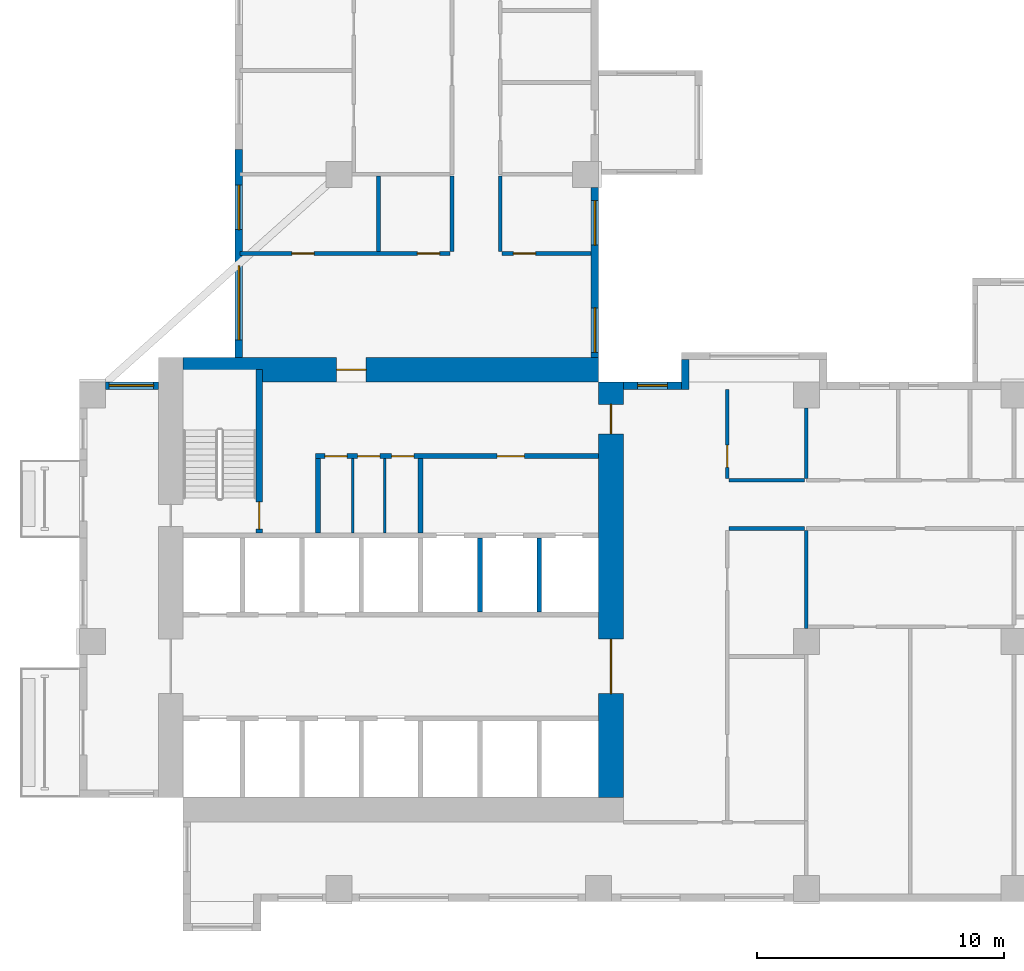
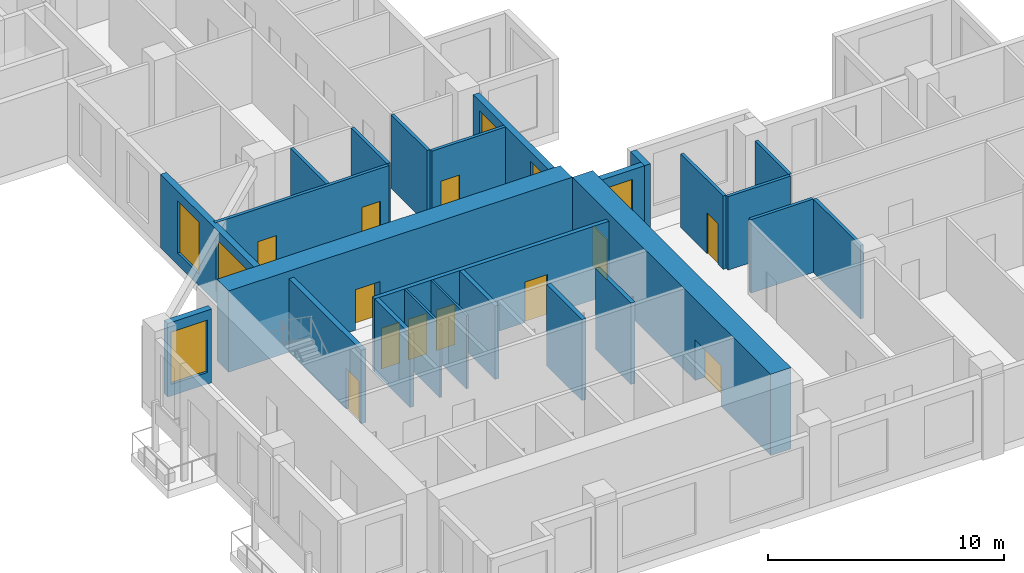
# One storey, part 3 of 15: 25 walls, 12 doors, 6 windows, 18 openings.
"""IFC4 building model written with IfcOpenShell, lengths in metres."""

from ifc_helpers import new_model, si_unit, direction, frame, frame_2d, origin, place, context, subcontext, project, spatial, rectangle, extrude, source, transform, mapped, material, layer, layer_set, type_object, element, fill, save


model = new_model("IFC4")

# Units and contexts
model_context = context("Model", 3, precision=1e-05, world=origin(), true_north=direction((0.0, 1.0)))
body_context = subcontext(model_context, "Body", "Model", "MODEL_VIEW")
ifc_project = project(units=[si_unit("LENGTHUNIT", "METRE"), si_unit("AREAUNIT", "SQUARE_METRE"), si_unit("VOLUMEUNIT", "CUBIC_METRE"), si_unit("PLANEANGLEUNIT", "RADIAN"), si_unit("MASSUNIT", "GRAM", prefix="KILO")], contexts=[model_context])

# Site, building, storey
site_placement = place(None, origin())
site = spatial("IfcSite", under=ifc_project, at=site_placement, CompositionType="ELEMENT")
building_placement = place(site_placement, origin())
building = spatial("IfcBuilding", under=site, at=building_placement, Name="Aurelian Terraces", CompositionType="ELEMENT")
storey_placement = place(building_placement, frame((0.0, 0.0, 120.3)))
storey = spatial("IfcBuildingStorey", under=building, at=storey_placement, Name="L26", CompositionType="ELEMENT", Elevation=120.3)

# Wall, openings, doors
ifc_material_1 = material(Name="Concrete fc' 83 MPa", Category="concrete")
ifc_layer_1 = layer(ifc_material_1, 1.0)
ifc_layer_set_1 = layer_set([ifc_layer_1], Name="CORE WALL 1000 FC83")
wall_type_1 = type_object("IfcWallType", Name="CORE WALL 1000 FC83", PredefinedType="SHEAR", material=ifc_layer_set_1)
shared_shape_1 = source(origin(), body_context, "Body", "SweptSolid", [
    extrude(rectangle(XDim=16.8, YDim=1.0, at=frame_2d((8.4, 0.0))), origin(), (0.0, 0.0, 1.0), 4.2),
])
wall_1_placement = place(storey_placement, frame((21.5, 4.2, 0.0), z_axis=(0.0, 0.0, 1.0), x_axis=(0.0, 1.0, 0.0)))
wall_1 = element("IfcWall", 1, at=wall_1_placement, inside=storey, type_object=wall_type_1, Name="Core wall E L26", PredefinedType="SHEAR", context=body_context, shape_type="MappedRepresentation", body=[
    mapped(shared_shape_1, transform((0.0, 0.0, 0.0), scale=1.0)),
])
shared_shape_2 = source(origin(), body_context, "Body", "SweptSolid", [
    extrude(rectangle(XDim=2.2, YDim=2.1, at=frame_2d((1.1, 1.05))), frame((0.0, 0.51, 0.0), z_axis=(0.0, -1.0, 0.0), x_axis=(1.0, 0.0, 0.0)), (0.0, 0.0, 1.0), 1.02),
])
opening_1_placement = place(wall_1_placement, frame((4.2, 0.0, 0.0)))
opening_1 = element("IfcOpeningElement", 2, at=opening_1_placement, cuts=wall_1, Name="Opening 62921", PredefinedType="OPENING", context=body_context, shape_type="MappedRepresentation", body=[
    mapped(shared_shape_2, transform((0.0, 0.0, 0.0), scale=1.0)),
])
shared_shape_3 = source(origin(), body_context, "Body", "SweptSolid", [
    extrude(rectangle(XDim=1.2, YDim=2.1, at=frame_2d((0.6, 1.05))), frame((0.0, 0.51, 0.0), z_axis=(0.0, -1.0, 0.0), x_axis=(1.0, 0.0, 0.0)), (0.0, 0.0, 1.0), 1.02),
])
opening_2_placement = place(wall_1_placement, frame((14.7, 0.0, 0.0)))
opening_2 = element("IfcOpeningElement", 3, at=opening_2_placement, cuts=wall_1, Name="Opening 62924", PredefinedType="OPENING", context=body_context, shape_type="MappedRepresentation", body=[
    mapped(shared_shape_3, transform((0.0, 0.0, 0.0), scale=1.0)),
])
ifc_material_2 = material(Name="Steel door leaf", Category="steel")
door_type_1 = type_object("IfcDoorType", Name="Core fire door 1200x2100", OperationType="SINGLE_SWING_LEFT", PredefinedType="DOOR", material=ifc_material_2)
shared_shape_4 = source(origin(), body_context, "Body", "SweptSolid", [
    extrude(rectangle(XDim=1.2, YDim=2.1, at=frame_2d((0.6, 1.05))), frame((0.0, 0.025, 0.0), z_axis=(0.0, -1.0, 0.0), x_axis=(1.0, 0.0, 0.0)), (0.0, 0.0, 1.0), 0.05),
])
door_1_placement = place(opening_2_placement, origin())
door_1 = element("IfcDoor", 4, at=door_1_placement, inside=storey, type_object=door_type_1, Name="Core door 62924", OperationType="SINGLE_SWING_LEFT", OverallHeight=2.1, OverallWidth=1.2, PredefinedType="DOOR", context=body_context, shape_type="MappedRepresentation", body=[
    mapped(shared_shape_4, transform((0.0, 0.0, 0.0), scale=1.0)),
])
fill(opening_2, door_1)
door_type_2 = type_object("IfcDoorType", Name="Core double door 2200x2100", OperationType="DOUBLE_DOOR_SINGLE_SWING", PredefinedType="DOOR", material=ifc_material_2)
shared_shape_5 = source(origin(), body_context, "Body", "SweptSolid", [
    extrude(rectangle(XDim=2.2, YDim=2.1, at=frame_2d((1.1, 1.05))), frame((0.0, 0.025, 0.0), z_axis=(0.0, -1.0, 0.0), x_axis=(1.0, 0.0, 0.0)), (0.0, 0.0, 1.0), 0.05),
])
door_2_placement = place(opening_1_placement, origin())
door_2 = element("IfcDoor", 5, at=door_2_placement, inside=storey, type_object=door_type_2, Name="Core door 62921", OperationType="DOUBLE_DOOR_SINGLE_SWING", OverallHeight=2.1, OverallWidth=2.2, PredefinedType="DOOR", context=body_context, shape_type="MappedRepresentation", body=[
    mapped(shared_shape_5, transform((0.0, 0.0, 0.0), scale=1.0)),
])
fill(opening_1, door_2)

# Wall, opening, door
wall_2_placement = place(storey_placement, frame((4.2, 21.5, 0.0), z_axis=(0.0, 0.0, 1.0), x_axis=(1.0, 0.0, 0.0)))
wall_2 = element("IfcWall", 6, at=wall_2_placement, inside=storey, type_object=wall_type_1, Name="Core wall N L26", PredefinedType="SHEAR", context=body_context, shape_type="MappedRepresentation", body=[
    mapped(shared_shape_1, transform((0.0, 0.0, 0.0), scale=1.0)),
])
opening_3_placement = place(wall_2_placement, frame((6.2, 0.0, 0.0)))
opening_3 = element("IfcOpeningElement", 7, at=opening_3_placement, cuts=wall_2, Name="Opening 62923", PredefinedType="OPENING", context=body_context, shape_type="MappedRepresentation", body=[
    mapped(shared_shape_3, transform((0.0, 0.0, 0.0), scale=1.0)),
])
door_type_3 = type_object("IfcDoorType", Name="Core fire door 1200x2100 right", OperationType="SINGLE_SWING_RIGHT", PredefinedType="DOOR", material=ifc_material_2)
door_3_placement = place(opening_3_placement, origin())
door_3 = element("IfcDoor", 8, at=door_3_placement, inside=storey, type_object=door_type_3, Name="Core door 62923", OperationType="SINGLE_SWING_RIGHT", OverallHeight=2.1, OverallWidth=1.2, PredefinedType="DOOR", context=body_context, shape_type="MappedRepresentation", body=[
    mapped(shared_shape_4, transform((0.0, 0.0, 0.0), scale=1.0)),
])
fill(opening_3, door_3)

# Wall
ifc_material_3 = material(Name="Terracotta rainscreen cladding", Category="masonry")
ifc_layer_2 = layer(ifc_material_3, 0.3)
ifc_layer_set_2 = layer_set([ifc_layer_2], Name="EW-300")
wall_type_2 = type_object("IfcWallType", Name="EW-300", PredefinedType="STANDARD", material=ifc_layer_set_2)
shared_shape_6 = source(origin(), body_context, "Body", "SweptSolid", [
    extrude(rectangle(XDim=1.2, YDim=0.3, at=frame_2d((0.6, 0.0))), origin(), (0.0, 0.0, 1.0), 3.8),
])
wall_3_placement = place(storey_placement, frame((24.51, 20.7, 0.0), z_axis=(0.0, 0.0, 1.0), x_axis=(0.0, 1.0, 0.0)))
element("IfcWall", 9, at=wall_3_placement, inside=storey, type_object=wall_type_2, Name="Bay return L26 F07.21.2", PredefinedType="STANDARD", context=body_context, shape_type="MappedRepresentation", body=[
    mapped(shared_shape_6, transform((0.0, 0.0, 0.0), scale=1.0)),
])

# Wall, openings, windows
shared_shape_7 = source(origin(), body_context, "Body", "SweptSolid", [
    extrude(rectangle(XDim=8.4, YDim=0.3, at=frame_2d((4.2, 0.0))), origin(), (0.0, 0.0, 1.0), 3.8),
])
wall_4_placement = place(storey_placement, frame((6.45, 30.4, 0.0), z_axis=(0.0, 0.0, 1.0), x_axis=(0.0, -1.0, 0.0)))
wall_4 = element("IfcWall", 10, at=wall_4_placement, inside=storey, type_object=wall_type_2, Name="External wall L26 F16.35", PredefinedType="STANDARD", context=body_context, shape_type="MappedRepresentation", body=[
    mapped(shared_shape_7, transform((0.0, 0.0, 0.0), scale=1.0)),
])
shared_shape_8 = source(origin(), body_context, "Body", "SweptSolid", [
    extrude(rectangle(XDim=1.8, YDim=2.7, at=frame_2d((0.9, 1.35))), frame((0.0, 0.16, 0.0), z_axis=(0.0, -1.0, 0.0), x_axis=(1.0, 0.0, 0.0)), (0.0, 0.0, 1.0), 0.32),
])
opening_4_placement = place(wall_4_placement, frame((1.4375, 0.0, 0.6)))
opening_4 = element("IfcOpeningElement", 11, at=opening_4_placement, cuts=wall_4, Name="Opening W1827", PredefinedType="OPENING", context=body_context, shape_type="MappedRepresentation", body=[
    mapped(shared_shape_8, transform((0.0, 0.0, 0.0), scale=1.0)),
])
shared_shape_9 = source(origin(), body_context, "Body", "SweptSolid", [
    extrude(rectangle(XDim=3.0, YDim=2.7, at=frame_2d((1.5, 1.35))), frame((0.0, 0.16, 0.0), z_axis=(0.0, -1.0, 0.0), x_axis=(1.0, 0.0, 0.0)), (0.0, 0.0, 1.0), 0.32),
])
opening_5_placement = place(wall_4_placement, frame((4.7, 0.0, 0.6)))
opening_5 = element("IfcOpeningElement", 12, at=opening_5_placement, cuts=wall_4, Name="Opening W3027", PredefinedType="OPENING", context=body_context, shape_type="MappedRepresentation", body=[
    mapped(shared_shape_9, transform((0.0, 0.0, 0.0), scale=1.0)),
])
ifc_material_4 = material(Name="Clear glazing", Category="glass")
window_type_1 = type_object("IfcWindowType", Name="W-1800x2700", PartitioningType="SINGLE_PANEL", PredefinedType="WINDOW", material=ifc_material_4)
shared_shape_10 = source(origin(), body_context, "Body", "SweptSolid", [
    extrude(rectangle(XDim=1.8, YDim=2.7, at=frame_2d((0.9, 1.35))), frame((0.0, 0.03, 0.0), z_axis=(0.0, -1.0, 0.0), x_axis=(1.0, 0.0, 0.0)), (0.0, 0.0, 1.0), 0.06),
])
window_1_placement = place(opening_4_placement, origin())
window_1 = element("IfcWindow", 13, at=window_1_placement, inside=storey, type_object=window_type_1, Name="Window L26 L26-F16-35-2", OverallHeight=2.7, OverallWidth=1.8, PartitioningType="SINGLE_PANEL", PredefinedType="WINDOW", context=body_context, shape_type="MappedRepresentation", body=[
    mapped(shared_shape_10, transform((0.0, 0.0, 0.0), scale=1.0)),
])
fill(opening_4, window_1)
window_type_2 = type_object("IfcWindowType", Name="W-3000x2700", PartitioningType="SINGLE_PANEL", PredefinedType="WINDOW", material=ifc_material_4)
shared_shape_11 = source(origin(), body_context, "Body", "SweptSolid", [
    extrude(rectangle(XDim=3.0, YDim=2.7, at=frame_2d((1.5, 1.35))), frame((0.0, 0.03, 0.0), z_axis=(0.0, -1.0, 0.0), x_axis=(1.0, 0.0, 0.0)), (0.0, 0.0, 1.0), 0.06),
])
window_2_placement = place(opening_5_placement, origin())
window_2 = element("IfcWindow", 14, at=window_2_placement, inside=storey, type_object=window_type_2, Name="Window L26 L26-F16-35-3", OverallHeight=2.7, OverallWidth=3.0, PartitioningType="SINGLE_PANEL", PredefinedType="WINDOW", context=body_context, shape_type="MappedRepresentation", body=[
    mapped(shared_shape_11, transform((0.0, 0.0, 0.0), scale=1.0)),
])
fill(opening_5, window_2)

shared_shape_12 = source(origin(), body_context, "Body", "SweptSolid", [
    extrude(rectangle(XDim=6.875, YDim=0.3, at=frame_2d((3.4375, 0.0))), origin(), (0.0, 0.0, 1.0), 3.8),
])
wall_5_placement = place(storey_placement, frame((20.85, 22.0, 0.0), z_axis=(0.0, 0.0, 1.0), x_axis=(0.0, 1.0, 0.0)))
wall_5 = element("IfcWall", 15, at=wall_5_placement, inside=storey, type_object=wall_type_2, Name="External wall L26 F08.23", PredefinedType="STANDARD", context=body_context, shape_type="MappedRepresentation", body=[
    mapped(shared_shape_12, transform((0.0, 0.0, 0.0), scale=1.0)),
])
opening_6_placement = place(wall_5_placement, frame((0.2, 0.0, 0.6)))
opening_6 = element("IfcOpeningElement", 16, at=opening_6_placement, cuts=wall_5, Name="Opening W1827", PredefinedType="OPENING", context=body_context, shape_type="MappedRepresentation", body=[
    mapped(shared_shape_8, transform((0.0, 0.0, 0.0), scale=1.0)),
])
opening_7_placement = place(wall_5_placement, frame((4.5375, 0.0, 0.6)))
opening_7 = element("IfcOpeningElement", 17, at=opening_7_placement, cuts=wall_5, Name="Opening W1827", PredefinedType="OPENING", context=body_context, shape_type="MappedRepresentation", body=[
    mapped(shared_shape_8, transform((0.0, 0.0, 0.0), scale=1.0)),
])
window_3_placement = place(opening_6_placement, origin())
window_3 = element("IfcWindow", 18, at=window_3_placement, inside=storey, type_object=window_type_1, Name="Window L26 L26-F08-23-0", OverallHeight=2.7, OverallWidth=1.8, PartitioningType="SINGLE_PANEL", PredefinedType="WINDOW", context=body_context, shape_type="MappedRepresentation", body=[
    mapped(shared_shape_10, transform((0.0, 0.0, 0.0), scale=1.0)),
])
fill(opening_6, window_3)
window_4_placement = place(opening_7_placement, origin())
window_4 = element("IfcWindow", 19, at=window_4_placement, inside=storey, type_object=window_type_1, Name="Window L26 L26-F08-23-1", OverallHeight=2.7, OverallWidth=1.8, PartitioningType="SINGLE_PANEL", PredefinedType="WINDOW", context=body_context, shape_type="MappedRepresentation", body=[
    mapped(shared_shape_10, transform((0.0, 0.0, 0.0), scale=1.0)),
])
fill(opening_7, window_4)

# Wall, opening, window
shared_shape_13 = source(origin(), body_context, "Body", "SweptSolid", [
    extrude(rectangle(XDim=2.15, YDim=0.3, at=frame_2d((1.075, 0.0))), origin(), (0.0, 0.0, 1.0), 3.8),
])
wall_6_placement = place(storey_placement, frame((3.2, 20.85, 0.0), z_axis=(0.0, 0.0, 1.0), x_axis=(-1.0, 0.0, 0.0)))
wall_6 = element("IfcWall", 20, at=wall_6_placement, inside=storey, type_object=wall_type_2, Name="External wall L26 F19.38", PredefinedType="STANDARD", context=body_context, shape_type="MappedRepresentation", body=[
    mapped(shared_shape_13, transform((0.0, 0.0, 0.0), scale=1.0)),
])
opening_8_placement = place(wall_6_placement, frame((0.2, 0.0, 0.6)))
opening_8 = element("IfcOpeningElement", 21, at=opening_8_placement, cuts=wall_6, Name="Opening W1827", PredefinedType="OPENING", context=body_context, shape_type="MappedRepresentation", body=[
    mapped(shared_shape_8, transform((0.0, 0.0, 0.0), scale=1.0)),
])
window_5_placement = place(opening_8_placement, origin())
window_5 = element("IfcWindow", 22, at=window_5_placement, inside=storey, type_object=window_type_1, Name="Window L26 L26-F19-38-0", OverallHeight=2.7, OverallWidth=1.8, PartitioningType="SINGLE_PANEL", PredefinedType="WINDOW", context=body_context, shape_type="MappedRepresentation", body=[
    mapped(shared_shape_10, transform((0.0, 0.0, 0.0), scale=1.0)),
])
fill(opening_8, window_5)

shared_shape_14 = source(origin(), body_context, "Body", "SweptSolid", [
    extrude(rectangle(XDim=2.36, YDim=0.3, at=frame_2d((1.18, 0.0))), origin(), (0.0, 0.0, 1.0), 3.8),
])
wall_7_placement = place(storey_placement, frame((24.36, 20.85, 0.0), z_axis=(0.0, 0.0, 1.0), x_axis=(-1.0, 0.0, 0.0)))
wall_7 = element("IfcWall", 23, at=wall_7_placement, inside=storey, type_object=wall_type_2, Name="External wall L26 F07.22", PredefinedType="STANDARD", context=body_context, shape_type="MappedRepresentation", body=[
    mapped(shared_shape_14, transform((0.0, 0.0, 0.0), scale=1.0)),
])
shared_shape_15 = source(origin(), body_context, "Body", "SweptSolid", [
    extrude(rectangle(XDim=1.2, YDim=2.7, at=frame_2d((0.6, 1.35))), frame((0.0, 0.16, 0.0), z_axis=(0.0, -1.0, 0.0), x_axis=(1.0, 0.0, 0.0)), (0.0, 0.0, 1.0), 0.32),
])
opening_9_placement = place(wall_7_placement, frame((0.58, 0.0, 0.6)))
opening_9 = element("IfcOpeningElement", 24, at=opening_9_placement, cuts=wall_7, Name="Opening W1227", PredefinedType="OPENING", context=body_context, shape_type="MappedRepresentation", body=[
    mapped(shared_shape_15, transform((0.0, 0.0, 0.0), scale=1.0)),
])
window_type_3 = type_object("IfcWindowType", Name="W-1200x2700", PartitioningType="SINGLE_PANEL", PredefinedType="WINDOW", material=ifc_material_4)
shared_shape_16 = source(origin(), body_context, "Body", "SweptSolid", [
    extrude(rectangle(XDim=1.2, YDim=2.7, at=frame_2d((0.6, 1.35))), frame((0.0, 0.03, 0.0), z_axis=(0.0, -1.0, 0.0), x_axis=(1.0, 0.0, 0.0)), (0.0, 0.0, 1.0), 0.06),
])
window_6_placement = place(opening_9_placement, origin())
window_6 = element("IfcWindow", 25, at=window_6_placement, inside=storey, type_object=window_type_3, Name="Window L26 L26-F07-22-P0", OverallHeight=2.7, OverallWidth=1.2, PartitioningType="SINGLE_PANEL", PredefinedType="WINDOW", context=body_context, shape_type="MappedRepresentation", body=[
    mapped(shared_shape_16, transform((0.0, 0.0, 0.0), scale=1.0)),
])
fill(opening_9, window_6)

# Walls
ifc_material_5 = material(Name="Concrete fc' 40 MPa", Category="concrete")
ifc_layer_3 = layer(ifc_material_5, 0.2)
ifc_layer_set_3 = layer_set([ifc_layer_3], Name="Lift shaft wall 200")
wall_type_3 = type_object("IfcWallType", Name="Lift shaft wall 200", PredefinedType="SOLIDWALL", material=ifc_layer_set_3)
shared_shape_17 = source(origin(), body_context, "Body", "SweptSolid", [
    extrude(rectangle(XDim=3.0, YDim=0.2, at=frame_2d((1.5, 0.0))), origin(), (0.0, 0.0, 1.0), 4.2),
])
for number, where, z_axis, x_axis, name in (
    (26, (16.2, 11.7, 0.0), (0.0, 0.0, 1.0), (0.0, 1.0, 0.0), "L26 core wall CD-B5"),
    (27, (18.6, 11.7, 0.0), (0.0, 0.0, 1.0), (0.0, 1.0, 0.0), "L26 core wall CD-B6"),
):
    element("IfcWall", number, at=place(storey_placement, frame(where, z_axis=z_axis, x_axis=x_axis)), inside=storey, type_object=wall_type_3, Name=name, PredefinedType="SOLIDWALL", context=body_context, shape_type="MappedRepresentation", body=[
        mapped(shared_shape_17, transform((0.0, 0.0, 0.0), scale=1.0)),
    ])
ifc_material_6 = material(Name="Gypsum board on steel studs", Category="steel")
ifc_layer_4 = layer(ifc_material_6, 0.2)
ifc_layer_set_4 = layer_set([ifc_layer_4], Name="Core partition 200")
wall_type_4 = type_object("IfcWallType", Name="Core partition 200", PredefinedType="PARTITIONING", material=ifc_layer_set_4)
shared_shape_18 = source(origin(), body_context, "Body", "SweptSolid", [
    extrude(rectangle(XDim=3.0, YDim=0.2, at=frame_2d((1.5, 0.0))), origin(), (0.0, 0.0, 1.0), 3.8),
])
for number, where, z_axis, x_axis, name in (
    (28, (9.65, 14.9, 0.0), (0.0, 0.0, 1.0), (0.0, 1.0, 0.0), "L26 core wall CP-VEST"),
    (29, (13.8, 14.9, 0.0), (0.0, 0.0, 1.0), (0.0, 1.0, 0.0), "L26 core wall CP-FFL"),
):
    element("IfcWall", number, at=place(storey_placement, frame(where, z_axis=z_axis, x_axis=x_axis)), inside=storey, type_object=wall_type_4, Name=name, PredefinedType="PARTITIONING", context=body_context, shape_type="MappedRepresentation", body=[
        mapped(shared_shape_18, transform((0.0, 0.0, 0.0), scale=1.0)),
    ])
ifc_layer_5 = layer(ifc_material_6, 0.1)
ifc_layer_set_5 = layer_set([ifc_layer_5], Name="Core partition 100")
wall_type_5 = type_object("IfcWallType", Name="Core partition 100", PredefinedType="PARTITIONING", material=ifc_layer_set_5)
shared_shape_19 = source(origin(), body_context, "Body", "SweptSolid", [
    extrude(rectangle(XDim=3.0, YDim=0.1, at=frame_2d((1.5, 0.0))), origin(), (0.0, 0.0, 1.0), 3.8),
])
for number, where, z_axis, x_axis, name in (
    (30, (11.05, 14.9, 0.0), (0.0, 0.0, 1.0), (0.0, 1.0, 0.0), "L26 core wall CP-SV1"),
    (31, (12.35, 14.9, 0.0), (0.0, 0.0, 1.0), (0.0, 1.0, 0.0), "L26 core wall CP-SV2"),
):
    element("IfcWall", number, at=place(storey_placement, frame(where, z_axis=z_axis, x_axis=x_axis)), inside=storey, type_object=wall_type_5, Name=name, PredefinedType="PARTITIONING", context=body_context, shape_type="MappedRepresentation", body=[
        mapped(shared_shape_19, transform((0.0, 0.0, 0.0), scale=1.0)),
    ])

# Wall, opening, door
ifc_layer_6 = layer(ifc_material_5, 0.25)
ifc_layer_set_6 = layer_set([ifc_layer_6], Name="Stair enclosure wall 250")
wall_type_6 = type_object("IfcWallType", Name="Stair enclosure wall 250", PredefinedType="SOLIDWALL", material=ifc_layer_set_6)
shared_shape_20 = source(origin(), body_context, "Body", "SweptSolid", [
    extrude(rectangle(XDim=6.6, YDim=0.25, at=frame_2d((3.3, 0.0))), origin(), (0.0, 0.0, 1.0), 3.8),
])
wall_8_placement = place(storey_placement, frame((7.275, 14.9, 0.0), z_axis=(0.0, 0.0, 1.0), x_axis=(0.0, 1.0, 0.0)))
wall_8 = element("IfcWall", 32, at=wall_8_placement, inside=storey, type_object=wall_type_6, Name="L26 core wall ST-S1-E", PredefinedType="SOLIDWALL", context=body_context, shape_type="MappedRepresentation", body=[
    mapped(shared_shape_20, transform((0.0, 0.0, 0.0), scale=1.0)),
])
shared_shape_21 = source(origin(), body_context, "Body", "SweptSolid", [
    extrude(rectangle(XDim=1.1, YDim=2.1, at=frame_2d((0.55, 1.05))), frame((0.0, 0.135, 0.0), z_axis=(0.0, -1.0, 0.0), x_axis=(1.0, 0.0, 0.0)), (0.0, 0.0, 1.0), 0.27),
])
opening_10_placement = place(wall_8_placement, frame((0.15, 0.0, 0.0)))
opening_10 = element("IfcOpeningElement", 33, at=opening_10_placement, cuts=wall_8, Name="Opening 62910", PredefinedType="OPENING", context=body_context, shape_type="MappedRepresentation", body=[
    mapped(shared_shape_21, transform((0.0, 0.0, 0.0), scale=1.0)),
])
door_type_4 = type_object("IfcDoorType", Name="Core fire door 1100x2100 right", OperationType="SINGLE_SWING_RIGHT", PredefinedType="DOOR", material=ifc_material_2)
shared_shape_22 = source(origin(), body_context, "Body", "SweptSolid", [
    extrude(rectangle(XDim=1.1, YDim=2.1, at=frame_2d((0.55, 1.05))), frame((0.0, 0.025, 0.0), z_axis=(0.0, -1.0, 0.0), x_axis=(1.0, 0.0, 0.0)), (0.0, 0.0, 1.0), 0.05),
])
door_4_placement = place(opening_10_placement, origin())
door_4 = element("IfcDoor", 34, at=door_4_placement, inside=storey, type_object=door_type_4, Name="Stair door 62910", OperationType="SINGLE_SWING_RIGHT", OverallHeight=2.1, OverallWidth=1.1, PredefinedType="DOOR", context=body_context, shape_type="MappedRepresentation", body=[
    mapped(shared_shape_22, transform((0.0, 0.0, 0.0), scale=1.0)),
])
fill(opening_10, door_4)

# Wall, openings, doors
shared_shape_23 = source(origin(), body_context, "Body", "SweptSolid", [
    extrude(rectangle(XDim=11.45, YDim=0.2, at=frame_2d((5.725, 0.0))), origin(), (0.0, 0.0, 1.0), 3.8),
])
wall_9_placement = place(storey_placement, frame((9.55, 18.0, 0.0), z_axis=(0.0, 0.0, 1.0), x_axis=(1.0, 0.0, 0.0)))
wall_9 = element("IfcWall", 35, at=wall_9_placement, inside=storey, type_object=wall_type_4, Name="L26 core wall CP-NORTH", PredefinedType="PARTITIONING", context=body_context, shape_type="MappedRepresentation", body=[
    mapped(shared_shape_23, transform((0.0, 0.0, 0.0), scale=1.0)),
])
shared_shape_24 = source(origin(), body_context, "Body", "SweptSolid", [
    extrude(rectangle(XDim=0.9, YDim=2.1, at=frame_2d((0.45, 1.05))), frame((0.0, 0.11, 0.0), z_axis=(0.0, -1.0, 0.0), x_axis=(1.0, 0.0, 0.0)), (0.0, 0.0, 1.0), 0.22),
])
opening_11_placement = place(wall_9_placement, frame((0.375, 0.0, 0.0)))
opening_11 = element("IfcOpeningElement", 36, at=opening_11_placement, cuts=wall_9, Name="Opening 62911", PredefinedType="OPENING", context=body_context, shape_type="MappedRepresentation", body=[
    mapped(shared_shape_24, transform((0.0, 0.0, 0.0), scale=1.0)),
])
opening_12_placement = place(wall_9_placement, frame((1.7, 0.0, 0.0)))
opening_12 = element("IfcOpeningElement", 37, at=opening_12_placement, cuts=wall_9, Name="Opening 62912", PredefinedType="OPENING", context=body_context, shape_type="MappedRepresentation", body=[
    mapped(shared_shape_24, transform((0.0, 0.0, 0.0), scale=1.0)),
])
opening_13_placement = place(wall_9_placement, frame((3.075, 0.0, 0.0)))
opening_13 = element("IfcOpeningElement", 38, at=opening_13_placement, cuts=wall_9, Name="Opening 62913", PredefinedType="OPENING", context=body_context, shape_type="MappedRepresentation", body=[
    mapped(shared_shape_24, transform((0.0, 0.0, 0.0), scale=1.0)),
])
shared_shape_25 = source(origin(), body_context, "Body", "SweptSolid", [
    extrude(rectangle(XDim=1.1, YDim=2.1, at=frame_2d((0.55, 1.05))), frame((0.0, 0.11, 0.0), z_axis=(0.0, -1.0, 0.0), x_axis=(1.0, 0.0, 0.0)), (0.0, 0.0, 1.0), 0.22),
])
opening_14_placement = place(wall_9_placement, frame((7.35, 0.0, 0.0)))
opening_14 = element("IfcOpeningElement", 39, at=opening_14_placement, cuts=wall_9, Name="Opening 62914", PredefinedType="OPENING", context=body_context, shape_type="MappedRepresentation", body=[
    mapped(shared_shape_25, transform((0.0, 0.0, 0.0), scale=1.0)),
])
door_type_5 = type_object("IfcDoorType", Name="Core riser door 900x2100", OperationType="SINGLE_SWING_LEFT", PredefinedType="DOOR", material=ifc_material_2)
shared_shape_26 = source(origin(), body_context, "Body", "SweptSolid", [
    extrude(rectangle(XDim=0.9, YDim=2.1, at=frame_2d((0.45, 1.05))), frame((0.0, 0.025, 0.0), z_axis=(0.0, -1.0, 0.0), x_axis=(1.0, 0.0, 0.0)), (0.0, 0.0, 1.0), 0.05),
])
door_5_placement = place(opening_11_placement, origin())
door_5 = element("IfcDoor", 40, at=door_5_placement, inside=storey, type_object=door_type_5, Name="Room door 62911", OperationType="SINGLE_SWING_LEFT", OverallHeight=2.1, OverallWidth=0.9, PredefinedType="DOOR", context=body_context, shape_type="MappedRepresentation", body=[
    mapped(shared_shape_26, transform((0.0, 0.0, 0.0), scale=1.0)),
])
fill(opening_11, door_5)
door_type_6 = type_object("IfcDoorType", Name="Core service door 900x2100 right", OperationType="SINGLE_SWING_RIGHT", PredefinedType="DOOR", material=ifc_material_2)
door_6_placement = place(opening_12_placement, origin())
door_6 = element("IfcDoor", 41, at=door_6_placement, inside=storey, type_object=door_type_6, Name="Room door 62912", OperationType="SINGLE_SWING_RIGHT", OverallHeight=2.1, OverallWidth=0.9, PredefinedType="DOOR", context=body_context, shape_type="MappedRepresentation", body=[
    mapped(shared_shape_26, transform((0.0, 0.0, 0.0), scale=1.0)),
])
fill(opening_12, door_6)
door_type_7 = type_object("IfcDoorType", Name="Core service door 900x2100", OperationType="SINGLE_SWING_LEFT", PredefinedType="DOOR", material=ifc_material_2)
door_7_placement = place(opening_13_placement, origin())
door_7 = element("IfcDoor", 42, at=door_7_placement, inside=storey, type_object=door_type_7, Name="Room door 62913", OperationType="SINGLE_SWING_LEFT", OverallHeight=2.1, OverallWidth=0.9, PredefinedType="DOOR", context=body_context, shape_type="MappedRepresentation", body=[
    mapped(shared_shape_26, transform((0.0, 0.0, 0.0), scale=1.0)),
])
fill(opening_13, door_7)
door_8_placement = place(opening_14_placement, origin())
door_8 = element("IfcDoor", 43, at=door_8_placement, inside=storey, type_object=door_type_4, Name="Ff lobby door 62914", OperationType="SINGLE_SWING_RIGHT", OverallHeight=2.1, OverallWidth=1.1, PredefinedType="DOOR", context=body_context, shape_type="MappedRepresentation", body=[
    mapped(shared_shape_22, transform((0.0, 0.0, 0.0), scale=1.0)),
])
fill(opening_14, door_8)

# Wall, opening, door
ifc_layer_7 = layer(ifc_material_6, 0.15)
ifc_layer_set_7 = layer_set([ifc_layer_7], Name="Partition 150")
wall_type_7 = type_object("IfcWallType", Name="Partition 150", PredefinedType="PARTITIONING", material=ifc_layer_set_7)
shared_shape_27 = source(origin(), body_context, "Body", "SweptSolid", [
    extrude(rectangle(XDim=3.6, YDim=0.15, at=frame_2d((1.8, 0.0))), origin(), (0.0, 0.0, 1.0), 3.8),
])
wall_10_placement = place(storey_placement, frame((26.2, 20.7, 0.0), z_axis=(0.0, 0.0, 1.0), x_axis=(0.0, -1.0, 0.0)))
wall_10 = element("IfcWall", 44, at=wall_10_placement, inside=storey, type_object=wall_type_7, Name="Partition", PredefinedType="PARTITIONING", context=body_context, shape_type="MappedRepresentation", body=[
    mapped(shared_shape_27, transform((0.0, 0.0, 0.0), scale=1.0)),
])
shared_shape_28 = source(origin(), body_context, "Body", "SweptSolid", [
    extrude(rectangle(XDim=0.9, YDim=2.1, at=frame_2d((0.45, 1.05))), frame((0.0, 0.085, 0.0), z_axis=(0.0, -1.0, 0.0), x_axis=(1.0, 0.0, 0.0)), (0.0, 0.0, 1.0), 0.17),
])
opening_15_placement = place(wall_10_placement, frame((2.25, 0.0, 0.0)))
opening_15 = element("IfcOpeningElement", 45, at=opening_15_placement, cuts=wall_10, Name="Opening 726003", PredefinedType="OPENING", context=body_context, shape_type="MappedRepresentation", body=[
    mapped(shared_shape_28, transform((0.0, 0.0, 0.0), scale=1.0)),
])
ifc_material_7 = material(Name="Timber door leaf", Category="wood")
door_type_8 = type_object("IfcDoorType", Name="Room door 900x2100 left", OperationType="SINGLE_SWING_LEFT", PredefinedType="DOOR", material=ifc_material_7)
door_9_placement = place(opening_15_placement, origin())
door_9 = element("IfcDoor", 46, at=door_9_placement, inside=storey, type_object=door_type_8, Name="Door 726003", OperationType="SINGLE_SWING_LEFT", OverallHeight=2.1, OverallWidth=0.9, PredefinedType="DOOR", context=body_context, shape_type="MappedRepresentation", body=[
    mapped(shared_shape_26, transform((0.0, 0.0, 0.0), scale=1.0)),
])
fill(opening_15, door_9)

wall_11_placement = place(storey_placement, frame((17.1, 26.2, 0.0), z_axis=(0.0, 0.0, 1.0), x_axis=(1.0, 0.0, 0.0)))
wall_11 = element("IfcWall", 47, at=wall_11_placement, inside=storey, type_object=wall_type_7, Name="Partition", PredefinedType="PARTITIONING", context=body_context, shape_type="MappedRepresentation", body=[
    mapped(shared_shape_27, transform((0.0, 0.0, 0.0), scale=1.0)),
])
opening_16_placement = place(wall_11_placement, frame((0.45, 0.0, 0.0)))
opening_16 = element("IfcOpeningElement", 48, at=opening_16_placement, cuts=wall_11, Name="Opening 726033", PredefinedType="OPENING", context=body_context, shape_type="MappedRepresentation", body=[
    mapped(shared_shape_28, transform((0.0, 0.0, 0.0), scale=1.0)),
])
door_10_placement = place(opening_16_placement, origin())
door_10 = element("IfcDoor", 49, at=door_10_placement, inside=storey, type_object=door_type_8, Name="Door 726033", OperationType="SINGLE_SWING_LEFT", OverallHeight=2.1, OverallWidth=0.9, PredefinedType="DOOR", context=body_context, shape_type="MappedRepresentation", body=[
    mapped(shared_shape_26, transform((0.0, 0.0, 0.0), scale=1.0)),
])
fill(opening_16, door_10)

# Walls
shared_shape_29 = source(origin(), body_context, "Body", "SweptSolid", [
    extrude(rectangle(XDim=3.976, YDim=0.15, at=frame_2d((1.988, 0.0))), origin(), (0.0, 0.0, 1.0), 3.8),
])
wall_12_placement = place(storey_placement, frame((29.4, 11.024, 0.0), z_axis=(0.0, 0.0, 1.0), x_axis=(0.0, 1.0, 0.0)))
element("IfcWall", 50, at=wall_12_placement, inside=storey, type_object=wall_type_7, Name="Partition", PredefinedType="PARTITIONING", context=body_context, shape_type="MappedRepresentation", body=[
    mapped(shared_shape_29, transform((0.0, 0.0, 0.0), scale=1.0)),
])
shared_shape_30 = source(origin(), body_context, "Body", "SweptSolid", [
    extrude(rectangle(XDim=2.851, YDim=0.15, at=frame_2d((1.4255, 0.0))), origin(), (0.0, 0.0, 1.0), 3.8),
])
wall_13_placement = place(storey_placement, frame((29.4, 17.1, 0.0), z_axis=(0.0, 0.0, 1.0), x_axis=(0.0, 1.0, 0.0)))
element("IfcWall", 51, at=wall_13_placement, inside=storey, type_object=wall_type_7, Name="Partition", PredefinedType="PARTITIONING", context=body_context, shape_type="MappedRepresentation", body=[
    mapped(shared_shape_30, transform((0.0, 0.0, 0.0), scale=1.0)),
])
ifc_layer_8 = layer(ifc_material_6, 0.15)
ifc_layer_set_8 = layer_set([ifc_layer_8], Name="Fire partition 150")
wall_type_8 = type_object("IfcWallType", Name="Fire partition 150", PredefinedType="PARTITIONING", material=ifc_layer_set_8)
shared_shape_31 = source(origin(), body_context, "Body", "SweptSolid", [
    extrude(rectangle(XDim=3.05, YDim=0.15, at=frame_2d((1.525, 0.0))), origin(), (0.0, 0.0, 1.0), 3.8),
])
for number, where, z_axis, x_axis, name in (
    (52, (29.325, 15.075, 0.0), (0.0, 0.0, 1.0), (-1.0, 0.0, 0.0), "Corridor wall"),
    (53, (26.275, 17.025, 0.0), (0.0, 0.0, 1.0), (1.0, 0.0, 0.0), "Corridor wall"),
):
    element("IfcWall", number, at=place(storey_placement, frame(where, z_axis=z_axis, x_axis=x_axis)), inside=storey, type_object=wall_type_8, Name=name, PredefinedType="PARTITIONING", context=body_context, shape_type="MappedRepresentation", body=[
        mapped(shared_shape_31, transform((0.0, 0.0, 0.0), scale=1.0)),
    ])
wall_14_placement = place(storey_placement, frame((12.1, 26.275, 0.0), z_axis=(0.0, 0.0, 1.0), x_axis=(0.0, 1.0, 0.0)))
element("IfcWall", 54, at=wall_14_placement, inside=storey, type_object=wall_type_7, Name="Partition", PredefinedType="PARTITIONING", context=body_context, shape_type="MappedRepresentation", body=[
    mapped(shared_shape_31, transform((0.0, 0.0, 0.0), scale=1.0)),
])
for number, where, z_axis, x_axis, name in (
    (55, (15.075, 26.275, 0.0), (0.0, 0.0, 1.0), (0.0, 1.0, 0.0), "Corridor wall"),
    (56, (17.025, 29.325, 0.0), (0.0, 0.0, 1.0), (0.0, -1.0, 0.0), "Corridor wall"),
):
    element("IfcWall", number, at=place(storey_placement, frame(where, z_axis=z_axis, x_axis=x_axis)), inside=storey, type_object=wall_type_8, Name=name, PredefinedType="PARTITIONING", context=body_context, shape_type="MappedRepresentation", body=[
        mapped(shared_shape_31, transform((0.0, 0.0, 0.0), scale=1.0)),
    ])

# Wall, openings, doors
shared_shape_32 = source(origin(), body_context, "Body", "SweptSolid", [
    extrude(rectangle(XDim=8.495, YDim=0.15, at=frame_2d((4.2475, 0.0))), origin(), (0.0, 0.0, 1.0), 3.8),
])
wall_15_placement = place(storey_placement, frame((6.505, 26.2, 0.0), z_axis=(0.0, 0.0, 1.0), x_axis=(1.0, 0.0, 0.0)))
wall_15 = element("IfcWall", 57, at=wall_15_placement, inside=storey, type_object=wall_type_7, Name="Partition", PredefinedType="PARTITIONING", context=body_context, shape_type="MappedRepresentation", body=[
    mapped(shared_shape_32, transform((0.0, 0.0, 0.0), scale=1.0)),
])
opening_17_placement = place(wall_15_placement, frame((2.095, 0.0, 0.0)))
opening_17 = element("IfcOpeningElement", 58, at=opening_17_placement, cuts=wall_15, Name="Opening 726031", PredefinedType="OPENING", context=body_context, shape_type="MappedRepresentation", body=[
    mapped(shared_shape_28, transform((0.0, 0.0, 0.0), scale=1.0)),
])
opening_18_placement = place(wall_15_placement, frame((7.17, 0.0, 0.0)))
opening_18 = element("IfcOpeningElement", 59, at=opening_18_placement, cuts=wall_15, Name="Opening 726032", PredefinedType="OPENING", context=body_context, shape_type="MappedRepresentation", body=[
    mapped(shared_shape_28, transform((0.0, 0.0, 0.0), scale=1.0)),
])
door_11_placement = place(opening_17_placement, origin())
door_11 = element("IfcDoor", 60, at=door_11_placement, inside=storey, type_object=door_type_8, Name="Door 726031", OperationType="SINGLE_SWING_LEFT", OverallHeight=2.1, OverallWidth=0.9, PredefinedType="DOOR", context=body_context, shape_type="MappedRepresentation", body=[
    mapped(shared_shape_26, transform((0.0, 0.0, 0.0), scale=1.0)),
])
fill(opening_17, door_11)
door_type_9 = type_object("IfcDoorType", Name="Room door 900x2100 right", OperationType="SINGLE_SWING_RIGHT", PredefinedType="DOOR", material=ifc_material_7)
door_12_placement = place(opening_18_placement, origin())
door_12 = element("IfcDoor", 61, at=door_12_placement, inside=storey, type_object=door_type_9, Name="Door 726032", OperationType="SINGLE_SWING_RIGHT", OverallHeight=2.1, OverallWidth=0.9, PredefinedType="DOOR", context=body_context, shape_type="MappedRepresentation", body=[
    mapped(shared_shape_26, transform((0.0, 0.0, 0.0), scale=1.0)),
])
fill(opening_18, door_12)

save(model, "model.ifc")
